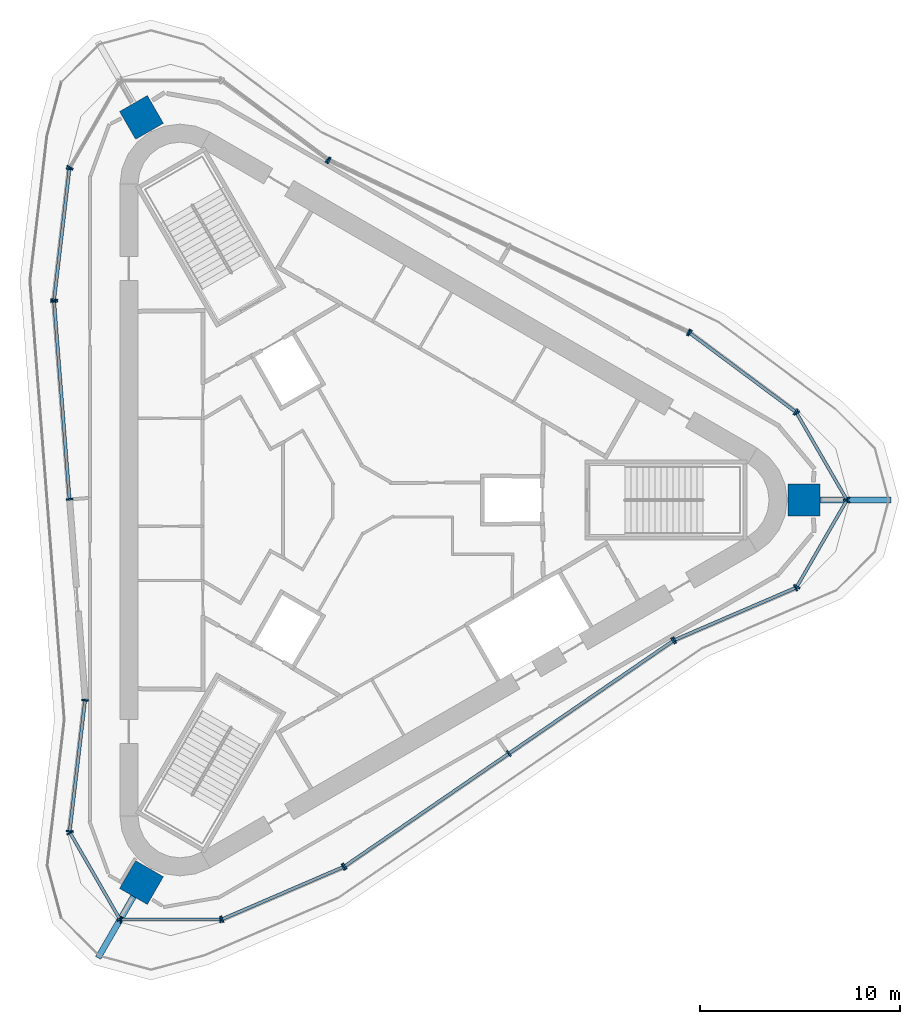
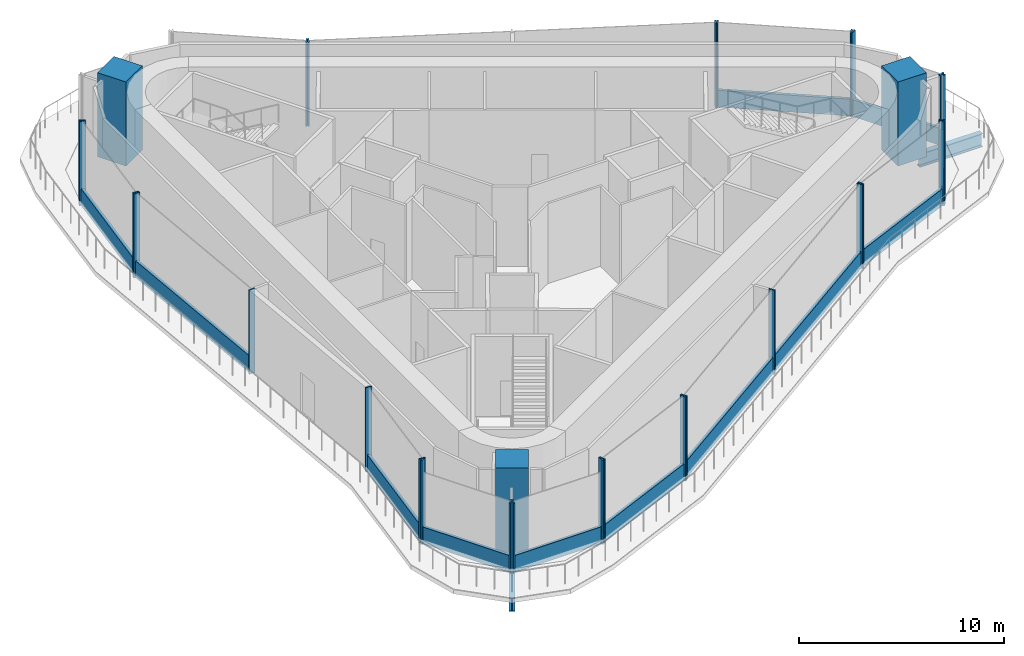
# One storey, part 1 of 8: 39 members, 3 columns, 2 beams, 14 elements without a shape of their own.
"""IFC4 building model written with IfcOpenShell, lengths in metres."""

from ifc_helpers import new_model, si_unit, direction, frame, origin, origin_2d, place, context, subcontext, project, spatial, rectangle, i_section, extrude, material, material_profile, profile_set, type_object, element, aggregate, save


model = new_model("IFC4")

# Units and contexts
model_context = context("Model", 3, precision=1e-05, world=origin(), true_north=direction((0.0, 1.0)))
body_context = subcontext(model_context, "Body", "Model", "MODEL_VIEW")
ifc_project = project(units=[si_unit("LENGTHUNIT", "METRE"), si_unit("AREAUNIT", "SQUARE_METRE"), si_unit("VOLUMEUNIT", "CUBIC_METRE"), si_unit("PLANEANGLEUNIT", "RADIAN"), si_unit("MASSUNIT", "GRAM", prefix="KILO")], contexts=[model_context])

# Site, building, storey
site_placement = place(None, origin())
site = spatial("IfcSite", under=ifc_project, at=site_placement, CompositionType="ELEMENT")
building_placement = place(site_placement, origin())
building = spatial("IfcBuilding", under=site, at=building_placement, Name="Tanit Gate Tower", CompositionType="ELEMENT")
storey_placement = place(building_placement, frame((0.0, 0.0, 435.300048828125)))
storey = spatial("IfcBuildingStorey", under=building, at=storey_placement, Name="L98", CompositionType="ELEMENT", Elevation=435.300048828125)

# Columns
ifc_material_1 = material(Name="Concrete C40/50", Category="concrete")
ifc_material_profile_1 = material_profile(ifc_material_1, rectangle(XDim=1.60009765625, YDim=1.60009765625, at=origin_2d()), Name="RC 1600x1600")
ifc_profile_set_1 = profile_set([ifc_material_profile_1], Name="Concrete C40/50")
column_type = type_object("IfcColumnType", Name="MEGA COLUMN 1600x1600 C40/50", PredefinedType="COLUMN", material=ifc_profile_set_1)
for number, where, z_axis, x_axis, name in (
    (1, (22.051025390625, 0.0, 0.0), (0.0, 0.0, 1.0), (1.0, 0.0, 0.0), "MEGA COLUMN"),
    (2, (-11.025390625, 19.0966796875, 0.0), (0.0, 0.0, 1.0), (-0.5, 0.866025403784, 0.0), "MEGA COLUMN"),
    (3, (-11.025390625, -19.0966796875, 0.0), (0.0, 0.0, 1.0), (-0.5, -0.866025403784, 0.0), "MEGA COLUMN"),
):
    element("IfcColumn", number, at=place(storey_placement, frame(where, z_axis=z_axis, x_axis=x_axis)), inside=storey, type_object=column_type, Name=name, PredefinedType="COLUMN", context=body_context, shape_type="SweptSolid", body=[
        extrude(rectangle(XDim=1.60009765625, YDim=1.60009765625, at=origin_2d()), origin(), (0.0, 0.0, 1.0), 5.0),
    ])

# Beams
ifc_material_2 = material(Name="Steel S355", Category="steel")
ifc_material_profile_2 = material_profile(ifc_material_2, i_section(OverallWidth=0.300048828125, OverallDepth=0.7900390625, WebThickness=0.014892578125, FlangeThickness=0.028076171875, FilletRadius=0.030029296875, at=origin_2d()), Name="HEA 800")
ifc_profile_set_2 = profile_set([ifc_material_profile_2], Name="Steel S355")
beam_type = type_object("IfcBeamType", Name="CROWN TERRACE GIRDER HEA 800 S355", PredefinedType="BEAM", material=ifc_profile_set_2)
beam_1_placement = place(storey_placement, frame((-11.424560546875, -19.787841796875, -0.64501953125), z_axis=(-0.499947514557, -0.866055704149, 0.0), x_axis=(0.866055704149, -0.499947514557, 0.0)))
element("IfcBeam", 4, at=beam_1_placement, inside=storey, type_object=beam_type, Name="CROWN TERRACE GIRDER", PredefinedType="BEAM", context=body_context, shape_type="SweptSolid", body=[
    extrude(i_section(OverallWidth=0.300048828125, OverallDepth=0.7900390625, WebThickness=0.014892578125, FlangeThickness=0.028076171875, FilletRadius=0.030029296875, at=origin_2d()), origin(), (0.0, 0.0, 1.0), 3.537109375),
])
beam_2_placement = place(storey_placement, frame((22.84912109375, 0.0, -0.64501953125), z_axis=(1.0, 0.0, 0.0), x_axis=(0.0, 1.0, 0.0)))
element("IfcBeam", 5, at=beam_2_placement, inside=storey, type_object=beam_type, Name="CROWN TERRACE GIRDER", PredefinedType="BEAM", context=body_context, shape_type="SweptSolid", body=[
    extrude(i_section(OverallWidth=0.300048828125, OverallDepth=0.7900390625, WebThickness=0.014892578125, FlangeThickness=0.028076171875, FilletRadius=0.030029296875, at=origin_2d()), origin(), (0.0, 0.0, 1.0), 3.536865234375),
])

# Curtain wall, members
ifc_material_3 = material(Name="Aluminium bronze anodised and glass", Category="aluminium")
curtain_wall_type = type_object("IfcCurtainWallType", Name="Curtain wall plant screen", PredefinedType="NOTDEFINED", material=ifc_material_3)
curtain_wall_1_placement = place(storey_placement, origin())
curtain_wall_1 = element("IfcCurtainWall", 6, at=curtain_wall_1_placement, inside=storey, type_object=curtain_wall_type, Name="Curtain wall L98 NE1", PredefinedType="NOTDEFINED")
ifc_material_4 = material(Name="Aluminium bronze anodised", Category="aluminium")
ifc_material_profile_3 = material_profile(ifc_material_4, rectangle(XDim=0.340087890625, YDim=0.080078125, at=origin_2d()), Name="80x340 bronze mullion")
ifc_profile_set_3 = profile_set([ifc_material_profile_3], Name="Aluminium bronze anodised")
member_type_1 = type_object("IfcMemberType", Name="Mullion 80x340 plant screen", PredefinedType="MULLION", material=ifc_profile_set_3)
member_1_placement = place(storey_placement, frame((21.621826171875, 4.39892578125, -0.25), z_axis=(0.0, 0.0, 1.0), x_axis=(-0.59734052401, -0.801987717098, 0.0)))
member_1 = element("IfcMember", 7, at=member_1_placement, type_object=member_type_1, Name="Mullion L98 NE1.1", PredefinedType="MULLION", context=body_context, shape_type="SweptSolid", body=[
    extrude(rectangle(XDim=0.340087890625, YDim=0.080078125, at=origin_2d()), origin(), (0.0, 0.0, 1.0), 5.0),
])
member_2_placement = place(storey_placement, frame((16.3447265625, 8.329345703125, -0.25), z_axis=(0.0, 0.0, 1.0), x_axis=(-0.59734052401, -0.801987717098, 0.0)))
member_2 = element("IfcMember", 8, at=member_2_placement, type_object=member_type_1, Name="Mullion L98 NE1.2", PredefinedType="MULLION", context=body_context, shape_type="SweptSolid", body=[
    extrude(rectangle(XDim=0.340087890625, YDim=0.080078125, at=origin_2d()), origin(), (0.0, 0.0, 1.0), 5.0),
])

curtain_wall_2_placement = place(storey_placement, origin())
curtain_wall_2 = element("IfcCurtainWall", 9, at=curtain_wall_2_placement, inside=storey, type_object=curtain_wall_type, Name="Curtain wall L98 NE2", PredefinedType="NOTDEFINED")
member_3_placement = place(storey_placement, frame((16.276611328125, 8.37060546875, -0.25), z_axis=(0.0, 0.0, 1.0), x_axis=(-0.431072811819, -0.902317145415, 0.0)))
member_3 = element("IfcMember", 10, at=member_3_placement, type_object=member_type_1, Name="Mullion L98 NE2.1", PredefinedType="MULLION", context=body_context, shape_type="SweptSolid", body=[
    extrude(rectangle(XDim=0.340087890625, YDim=0.080078125, at=origin_2d()), origin(), (0.0, 0.0, 1.0), 5.0),
])
member_4_placement = place(storey_placement, frame((-1.667236328125, 16.94287109375, -0.25), z_axis=(0.0, 0.0, 1.0), x_axis=(-0.431072811819, -0.902317145415, 0.0)))
member_4 = element("IfcMember", 11, at=member_4_placement, type_object=member_type_1, Name="Mullion L98 NE2.3", PredefinedType="MULLION", context=body_context, shape_type="SweptSolid", body=[
    extrude(rectangle(XDim=0.340087890625, YDim=0.080078125, at=origin_2d()), origin(), (0.0, 0.0, 1.0), 5.0),
])
aggregate(curtain_wall_2, [member_3, member_4])

# Curtain wall, member
curtain_wall_3_placement = place(storey_placement, origin())
curtain_wall_3 = element("IfcCurtainWall", 12, at=curtain_wall_3_placement, inside=storey, type_object=curtain_wall_type, Name="Curtain wall L98 NE3", PredefinedType="NOTDEFINED")
member_5_placement = place(storey_placement, frame((-1.7353515625, 16.984130859375, -0.25), z_axis=(0.0, 0.0, 1.0), x_axis=(-0.59734052401, -0.801987717098, 0.0)))
member_5 = element("IfcMember", 13, at=member_5_placement, type_object=member_type_1, Name="Mullion L98 NE3.1", PredefinedType="MULLION", context=body_context, shape_type="SweptSolid", body=[
    extrude(rectangle(XDim=0.340087890625, YDim=0.080078125, at=origin_2d()), origin(), (0.0, 0.0, 1.0), 5.0),
])
aggregate(curtain_wall_3, [member_5])

curtain_wall_4_placement = place(storey_placement, origin())
curtain_wall_4 = element("IfcCurtainWall", 14, at=curtain_wall_4_placement, inside=storey, type_object=curtain_wall_type, Name="Curtain wall L98 NW.arc2", PredefinedType="NOTDEFINED")
member_6_placement = place(storey_placement, frame((-14.595947265625, 16.60009765625, -0.25), z_axis=(0.0, 0.0, 1.0), x_axis=(0.866624446929, -0.498960988441, 0.0)))
member_6 = element("IfcMember", 15, at=member_6_placement, type_object=member_type_1, Name="Mullion L98 NW.arc2.2", PredefinedType="MULLION", context=body_context, shape_type="SweptSolid", body=[
    extrude(rectangle(XDim=0.340087890625, YDim=0.080078125, at=origin_2d()), origin(), (0.0, 0.0, 1.0), 5.0),
])
aggregate(curtain_wall_4, [member_6])

# Curtain wall, members
curtain_wall_5_placement = place(storey_placement, origin())
curtain_wall_5 = element("IfcCurtainWall", 16, at=curtain_wall_5_placement, inside=storey, type_object=curtain_wall_type, Name="Curtain wall L98 W1", PredefinedType="NOTDEFINED")
member_7_placement = place(storey_placement, frame((-14.620361328125, 16.525634765625, -0.25), z_axis=(0.0, 0.0, 1.0), x_axis=(0.993211998535, -0.116318209953, 0.0)))
member_7 = element("IfcMember", 17, at=member_7_placement, type_object=member_type_1, Name="Mullion L98 W1.1", PredefinedType="MULLION", context=body_context, shape_type="SweptSolid", body=[
    extrude(rectangle(XDim=0.340087890625, YDim=0.080078125, at=origin_2d()), origin(), (0.0, 0.0, 1.0), 5.0),
])
member_8_placement = place(storey_placement, frame((-15.3857421875, 9.990234375, -0.25), z_axis=(0.0, 0.0, 1.0), x_axis=(0.993211998535, -0.116318209953, 0.0)))
member_8 = element("IfcMember", 18, at=member_8_placement, type_object=member_type_1, Name="Mullion L98 W1.2", PredefinedType="MULLION", context=body_context, shape_type="SweptSolid", body=[
    extrude(rectangle(XDim=0.340087890625, YDim=0.080078125, at=origin_2d()), origin(), (0.0, 0.0, 1.0), 5.0),
])

curtain_wall_6_placement = place(storey_placement, origin())
curtain_wall_6 = element("IfcCurtainWall", 19, at=curtain_wall_6_placement, inside=storey, type_object=curtain_wall_type, Name="Curtain wall L98 W2a", PredefinedType="NOTDEFINED")
member_9_placement = place(storey_placement, frame((-15.387451171875, 9.91064453125, -0.25), z_axis=(0.0, 0.0, 1.0), x_axis=(0.996965976109, 0.077838566791, 0.0)))
member_9 = element("IfcMember", 20, at=member_9_placement, type_object=member_type_1, Name="Mullion L98 W2a.1", PredefinedType="MULLION", context=body_context, shape_type="SweptSolid", body=[
    extrude(rectangle(XDim=0.340087890625, YDim=0.080078125, at=origin_2d()), origin(), (0.0, 0.0, 1.0), 5.0),
])
member_10_placement = place(storey_placement, frame((-14.616455078125, 0.03759765625, -0.25), z_axis=(0.0, 0.0, 1.0), x_axis=(0.996965976109, 0.077838566791, 0.0)))
member_10 = element("IfcMember", 21, at=member_10_placement, type_object=member_type_1, Name="Mullion L98 W2a.2", PredefinedType="MULLION", context=body_context, shape_type="SweptSolid", body=[
    extrude(rectangle(XDim=0.340087890625, YDim=0.080078125, at=origin_2d()), origin(), (0.0, 0.0, 1.0), 5.0),
])

curtain_wall_7_placement = place(storey_placement, origin())
curtain_wall_7 = element("IfcCurtainWall", 22, at=curtain_wall_7_placement, inside=storey, type_object=curtain_wall_type, Name="Curtain wall L98 W3", PredefinedType="NOTDEFINED")
member_11_placement = place(storey_placement, frame((-13.841064453125, -9.994873046875, -0.25), z_axis=(0.0, 0.0, 1.0), x_axis=(0.993211998535, -0.116318209953, 0.0)))
member_11 = element("IfcMember", 23, at=member_11_placement, type_object=member_type_1, Name="Mullion L98 W3.1", PredefinedType="MULLION", context=body_context, shape_type="SweptSolid", body=[
    extrude(rectangle(XDim=0.340087890625, YDim=0.080078125, at=origin_2d()), origin(), (0.0, 0.0, 1.0), 5.0),
])
member_12_placement = place(storey_placement, frame((-14.607421875, -16.539306640625, -0.25), z_axis=(0.0, 0.0, 1.0), x_axis=(0.993211998535, -0.116318209953, 0.0)))
member_12 = element("IfcMember", 24, at=member_12_placement, type_object=member_type_1, Name="Mullion L98 W3.2", PredefinedType="MULLION", context=body_context, shape_type="SweptSolid", body=[
    extrude(rectangle(XDim=0.340087890625, YDim=0.080078125, at=origin_2d()), origin(), (0.0, 0.0, 1.0), 5.0),
])

curtain_wall_8_placement = place(storey_placement, origin())
curtain_wall_8 = element("IfcCurtainWall", 25, at=curtain_wall_8_placement, inside=storey, type_object=curtain_wall_type, Name="Curtain wall L98 SW.arc1", PredefinedType="NOTDEFINED")
member_13_placement = place(storey_placement, frame((-14.592041015625, -16.61376953125, -0.25), z_axis=(0.0, 0.0, 1.0), x_axis=(0.866260849341, 0.499591974413, 0.0)))
member_13 = element("IfcMember", 26, at=member_13_placement, type_object=member_type_1, Name="Mullion L98 SW.arc1.1", PredefinedType="MULLION", context=body_context, shape_type="SweptSolid", body=[
    extrude(rectangle(XDim=0.340087890625, YDim=0.080078125, at=origin_2d()), origin(), (0.0, 0.0, 1.0), 5.0),
])
member_14_placement = place(storey_placement, frame((-12.11328125, -20.911865234375, -0.25), z_axis=(0.0, 0.0, 1.0), x_axis=(0.866260849341, 0.499591974413, 0.0)))
member_14 = element("IfcMember", 27, at=member_14_placement, type_object=member_type_1, Name="Mullion L98 SW.arc1.2", PredefinedType="MULLION", context=body_context, shape_type="SweptSolid", body=[
    extrude(rectangle(XDim=0.340087890625, YDim=0.080078125, at=origin_2d()), origin(), (0.0, 0.0, 1.0), 4.2099609375),
])

curtain_wall_9_placement = place(storey_placement, origin())
curtain_wall_9 = element("IfcCurtainWall", 28, at=curtain_wall_9_placement, inside=storey, type_object=curtain_wall_type, Name="Curtain wall L98 SW.arc2", PredefinedType="NOTDEFINED")
member_15_placement = place(storey_placement, frame((-12.053466796875, -20.9462890625, -0.25), z_axis=(0.0, 0.0, 1.0), x_axis=(-0.001199331977, 0.999999280801, 0.0)))
member_15 = element("IfcMember", 29, at=member_15_placement, type_object=member_type_1, Name="Mullion L98 SW.arc2.1", PredefinedType="MULLION", context=body_context, shape_type="SweptSolid", body=[
    extrude(rectangle(XDim=0.340087890625, YDim=0.080078125, at=origin_2d()), origin(), (0.0, 0.0, 1.0), 4.2099609375),
])
member_16_placement = place(storey_placement, frame((-7.078125, -20.9404296875, -0.25), z_axis=(0.0, 0.0, 1.0), x_axis=(-0.001199331977, 0.999999280801, 0.0)))
member_16 = element("IfcMember", 30, at=member_16_placement, type_object=member_type_1, Name="Mullion L98 SW.arc2.2", PredefinedType="MULLION", context=body_context, shape_type="SweptSolid", body=[
    extrude(rectangle(XDim=0.340087890625, YDim=0.080078125, at=origin_2d()), origin(), (0.0, 0.0, 1.0), 5.0),
])

curtain_wall_10_placement = place(storey_placement, origin())
curtain_wall_10 = element("IfcCurtainWall", 31, at=curtain_wall_10_placement, inside=storey, type_object=curtain_wall_type, Name="Curtain wall L98 SE1", PredefinedType="NOTDEFINED")
member_17_placement = place(storey_placement, frame((-7.00146484375, -20.924560546875, -0.25), z_axis=(0.0, 0.0, 1.0), x_axis=(-0.395871474525, 0.918305927051, 0.0)))
member_17 = element("IfcMember", 32, at=member_17_placement, type_object=member_type_1, Name="Mullion L98 SE1.1", PredefinedType="MULLION", context=body_context, shape_type="SweptSolid", body=[
    extrude(rectangle(XDim=0.340087890625, YDim=0.080078125, at=origin_2d()), origin(), (0.0, 0.0, 1.0), 5.0),
])
member_18_placement = place(storey_placement, frame((-0.958740234375, -18.319580078125, -0.25), z_axis=(0.0, 0.0, 1.0), x_axis=(-0.395871474525, 0.918305927051, 0.0)))
member_18 = element("IfcMember", 33, at=member_18_placement, type_object=member_type_1, Name="Mullion L98 SE1.2", PredefinedType="MULLION", context=body_context, shape_type="SweptSolid", body=[
    extrude(rectangle(XDim=0.340087890625, YDim=0.080078125, at=origin_2d()), origin(), (0.0, 0.0, 1.0), 5.0),
])

curtain_wall_11_placement = place(storey_placement, origin())
curtain_wall_11 = element("IfcCurtainWall", 34, at=curtain_wall_11_placement, inside=storey, type_object=curtain_wall_type, Name="Curtain wall L98 SE2", PredefinedType="NOTDEFINED")
member_19_placement = place(storey_placement, frame((-0.88916015625, -18.28125, -0.25), z_axis=(0.0, 0.0, 1.0), x_axis=(-0.56589316429, 0.824478578624, 0.0)))
member_19 = element("IfcMember", 35, at=member_19_placement, type_object=member_type_1, Name="Mullion L98 SE2.1", PredefinedType="MULLION", context=body_context, shape_type="SweptSolid", body=[
    extrude(rectangle(XDim=0.340087890625, YDim=0.080078125, at=origin_2d()), origin(), (0.0, 0.0, 1.0), 5.0),
])
member_20_placement = place(storey_placement, frame((7.308837890625, -12.654541015625, -0.25), z_axis=(0.0, 0.0, 1.0), x_axis=(-0.56589316429, 0.824478578624, 0.0)))
member_20 = element("IfcMember", 36, at=member_20_placement, type_object=member_type_1, Name="Mullion L98 SE2.2", PredefinedType="MULLION", context=body_context, shape_type="SweptSolid", body=[
    extrude(rectangle(XDim=0.340087890625, YDim=0.080078125, at=origin_2d()), origin(), (0.0, 0.0, 1.0), 5.0),
])
member_21_placement = place(storey_placement, frame((15.506591796875, -7.02783203125, -0.25), z_axis=(0.0, 0.0, 1.0), x_axis=(-0.56589316429, 0.824478578624, 0.0)))
member_21 = element("IfcMember", 37, at=member_21_placement, type_object=member_type_1, Name="Mullion L98 SE2.3", PredefinedType="MULLION", context=body_context, shape_type="SweptSolid", body=[
    extrude(rectangle(XDim=0.340087890625, YDim=0.080078125, at=origin_2d()), origin(), (0.0, 0.0, 1.0), 5.0),
])

curtain_wall_12_placement = place(storey_placement, origin())
curtain_wall_12 = element("IfcCurtainWall", 38, at=curtain_wall_12_placement, inside=storey, type_object=curtain_wall_type, Name="Curtain wall L98 SE3", PredefinedType="NOTDEFINED")
member_22_placement = place(storey_placement, frame((15.576416015625, -6.9892578125, -0.25), z_axis=(0.0, 0.0, 1.0), x_axis=(-0.395871474525, 0.918305927051, 0.0)))
member_22 = element("IfcMember", 39, at=member_22_placement, type_object=member_type_1, Name="Mullion L98 SE3.1", PredefinedType="MULLION", context=body_context, shape_type="SweptSolid", body=[
    extrude(rectangle(XDim=0.340087890625, YDim=0.080078125, at=origin_2d()), origin(), (0.0, 0.0, 1.0), 5.0),
])
member_23_placement = place(storey_placement, frame((21.627197265625, -4.380615234375, -0.25), z_axis=(0.0, 0.0, 1.0), x_axis=(-0.395871474525, 0.918305927051, 0.0)))
member_23 = element("IfcMember", 40, at=member_23_placement, type_object=member_type_1, Name="Mullion L98 SE3.2", PredefinedType="MULLION", context=body_context, shape_type="SweptSolid", body=[
    extrude(rectangle(XDim=0.340087890625, YDim=0.080078125, at=origin_2d()), origin(), (0.0, 0.0, 1.0), 5.0),
])

curtain_wall_13_placement = place(storey_placement, origin())
curtain_wall_13 = element("IfcCurtainWall", 41, at=curtain_wall_13_placement, inside=storey, type_object=curtain_wall_type, Name="Curtain wall L98 E.arc1", PredefinedType="NOTDEFINED")
member_24_placement = place(storey_placement, frame((21.68408203125, -4.330322265625, -0.25), z_axis=(0.0, 0.0, 1.0), x_axis=(-0.865789766039, 0.500407914627, 0.0)))
member_24 = element("IfcMember", 42, at=member_24_placement, type_object=member_type_1, Name="Mullion L98 E.arc1.1", PredefinedType="MULLION", context=body_context, shape_type="SweptSolid", body=[
    extrude(rectangle(XDim=0.340087890625, YDim=0.080078125, at=origin_2d()), origin(), (0.0, 0.0, 1.0), 5.0),
])
member_25_placement = place(storey_placement, frame((24.166748046875, -0.03466796875, -0.25), z_axis=(0.0, 0.0, 1.0), x_axis=(-0.865789766039, 0.500407914627, 0.0)))
member_25 = element("IfcMember", 43, at=member_25_placement, type_object=member_type_1, Name="Mullion L98 E.arc1.2", PredefinedType="MULLION", context=body_context, shape_type="SweptSolid", body=[
    extrude(rectangle(XDim=0.340087890625, YDim=0.080078125, at=origin_2d()), origin(), (0.0, 0.0, 1.0), 4.2099609375),
])

curtain_wall_14_placement = place(storey_placement, origin())
curtain_wall_14 = element("IfcCurtainWall", 44, at=curtain_wall_14_placement, inside=storey, type_object=curtain_wall_type, Name="Curtain wall L98 E.arc2", PredefinedType="NOTDEFINED")
member_26_placement = place(storey_placement, frame((24.166748046875, 0.03466796875, -0.25), z_axis=(0.0, 0.0, 1.0), x_axis=(-0.865425114951, -0.50103829236, 0.0)))
member_26 = element("IfcMember", 45, at=member_26_placement, type_object=member_type_1, Name="Mullion L98 E.arc2.1", PredefinedType="MULLION", context=body_context, shape_type="SweptSolid", body=[
    extrude(rectangle(XDim=0.340087890625, YDim=0.080078125, at=origin_2d()), origin(), (0.0, 0.0, 1.0), 4.2099609375),
])
member_27_placement = place(storey_placement, frame((21.674072265625, 4.34033203125, -0.25), z_axis=(0.0, 0.0, 1.0), x_axis=(-0.865425114951, -0.50103829236, 0.0)))
member_27 = element("IfcMember", 46, at=member_27_placement, type_object=member_type_1, Name="Mullion L98 E.arc2.2", PredefinedType="MULLION", context=body_context, shape_type="SweptSolid", body=[
    extrude(rectangle(XDim=0.340087890625, YDim=0.080078125, at=origin_2d()), origin(), (0.0, 0.0, 1.0), 5.0),
])

# Member
ifc_material_5 = material(Name="Aluminium bronze anodised", Category="aluminium")
ifc_material_profile_4 = material_profile(ifc_material_5, rectangle(XDim=0.159912109375, YDim=1.0, at=origin_2d()), Name="160x1000 bronze transom")
ifc_profile_set_4 = profile_set([ifc_material_profile_4], Name="Aluminium bronze anodised")
member_type_2 = type_object("IfcMemberType", Name="Transom 160x1000 plant screen", PredefinedType="USERDEFINED", material=ifc_profile_set_4)
member_28_placement = place(storey_placement, frame((21.58984375, 4.4228515625, 0.25), z_axis=(-0.802010187048, 0.597310354733, 0.0), x_axis=(-0.597310354733, -0.802010187048, 0.0)))
member_28 = element("IfcMember", 47, at=member_28_placement, type_object=member_type_2, Name="Transom L98 NE1.1", ObjectType="TRANSOM", PredefinedType="USERDEFINED", context=body_context, shape_type="SweptSolid", body=[
    extrude(rectangle(XDim=0.159912109375, YDim=1.0, at=origin_2d()), origin(), (0.0, 0.0, 1.0), 6.5),
])

aggregate(curtain_wall_1, [member_1, member_2, member_28])

member_29_placement = place(storey_placement, frame((-14.625, 16.48583984375, 0.25), z_axis=(-0.1163247434, -0.99321123336, 0.0), x_axis=(0.99321123336, -0.1163247434, 0.0)))
member_29 = element("IfcMember", 48, at=member_29_placement, type_object=member_type_2, Name="Transom L98 W1.1", ObjectType="TRANSOM", PredefinedType="USERDEFINED", context=body_context, shape_type="SweptSolid", body=[
    extrude(rectangle(XDim=0.159912109375, YDim=1.0, at=origin_2d()), origin(), (0.0, 0.0, 1.0), 6.5),
])

aggregate(curtain_wall_5, [member_7, member_8, member_29])

member_30_placement = place(storey_placement, frame((-15.38427734375, 9.87060546875, 0.25), z_axis=(0.077842506761, -0.996965668487, 0.0), x_axis=(0.996965668487, 0.077842506761, 0.0)))
member_30 = element("IfcMember", 49, at=member_30_placement, type_object=member_type_2, Name="Transom L98 W2a.1", ObjectType="TRANSOM", PredefinedType="USERDEFINED", context=body_context, shape_type="SweptSolid", body=[
    extrude(rectangle(XDim=0.159912109375, YDim=1.0, at=origin_2d()), origin(), (0.0, 0.0, 1.0), 9.822998046875),
])

aggregate(curtain_wall_6, [member_9, member_10, member_30])

member_31_placement = place(storey_placement, frame((-13.845703125, -10.03466796875, 0.25), z_axis=(-0.116308073283, -0.99321318562, 0.0), x_axis=(0.99321318562, -0.116308073283, 0.0)))
member_31 = element("IfcMember", 50, at=member_31_placement, type_object=member_type_2, Name="Transom L98 W3.1", ObjectType="TRANSOM", PredefinedType="USERDEFINED", context=body_context, shape_type="SweptSolid", body=[
    extrude(rectangle(XDim=0.159912109375, YDim=1.0, at=origin_2d()), origin(), (0.0, 0.0, 1.0), 6.50927734375),
])

aggregate(curtain_wall_7, [member_11, member_12, member_31])

member_32_placement = place(storey_placement, frame((-14.572265625, -16.6484375, 0.25), z_axis=(0.499614211748, -0.866248024193, 0.0), x_axis=(0.866248024193, 0.499614211748, 0.0)))
member_32 = element("IfcMember", 51, at=member_32_placement, type_object=member_type_2, Name="Transom L98 SW.arc1.1", ObjectType="TRANSOM", PredefinedType="USERDEFINED", context=body_context, shape_type="SweptSolid", body=[
    extrude(rectangle(XDim=0.159912109375, YDim=1.0, at=origin_2d()), origin(), (0.0, 0.0, 1.0), 4.881591796875),
])

aggregate(curtain_wall_8, [member_13, member_14, member_32])

member_33_placement = place(storey_placement, frame((-12.013427734375, -20.9462890625, 0.25), z_axis=(0.999999283659, 0.001196946926, 0.0), x_axis=(-0.001196946926, 0.999999283659, 0.0)))
member_33 = element("IfcMember", 52, at=member_33_placement, type_object=member_type_2, Name="Transom L98 SW.arc2.1", ObjectType="TRANSOM", PredefinedType="USERDEFINED", context=body_context, shape_type="SweptSolid", body=[
    extrude(rectangle(XDim=0.159912109375, YDim=1.0, at=origin_2d()), origin(), (0.0, 0.0, 1.0), 4.895263671875),
])

aggregate(curtain_wall_9, [member_15, member_16, member_33])

member_34_placement = place(storey_placement, frame((-6.964599609375, -20.90869140625, 0.25), z_axis=(0.91830172222, 0.395881228361, 0.0), x_axis=(-0.395881228361, 0.91830172222, 0.0)))
member_34 = element("IfcMember", 53, at=member_34_placement, type_object=member_type_2, Name="Transom L98 SE1.1", ObjectType="TRANSOM", PredefinedType="USERDEFINED", context=body_context, shape_type="SweptSolid", body=[
    extrude(rectangle(XDim=0.159912109375, YDim=1.0, at=origin_2d()), origin(), (0.0, 0.0, 1.0), 6.5),
])

aggregate(curtain_wall_10, [member_17, member_18, member_34])

member_35_placement = place(storey_placement, frame((-0.856201171875, -18.258544921875, 0.25), z_axis=(0.824480065419, 0.565890998097, 0.0), x_axis=(-0.565890998097, 0.824480065419, 0.0)))
member_35 = element("IfcMember", 54, at=member_35_placement, type_object=member_type_2, Name="Transom L98 SE2.1", ObjectType="TRANSOM", PredefinedType="USERDEFINED", context=body_context, shape_type="SweptSolid", body=[
    extrude(rectangle(XDim=0.159912109375, YDim=1.0, at=origin_2d()), origin(), (0.0, 0.0, 1.0), 9.86328125),
])

member_36_placement = place(storey_placement, frame((7.341796875, -12.6318359375, 0.25), z_axis=(0.824472138627, 0.565902546935, 0.0), x_axis=(-0.565902546935, 0.824472138627, 0.0)))
member_36 = element("IfcMember", 55, at=member_36_placement, type_object=member_type_2, Name="Transom L98 SE2.2", ObjectType="TRANSOM", PredefinedType="USERDEFINED", context=body_context, shape_type="SweptSolid", body=[
    extrude(rectangle(XDim=0.159912109375, YDim=1.0, at=origin_2d()), origin(), (0.0, 0.0, 1.0), 9.863037109375),
])

aggregate(curtain_wall_11, [member_19, member_20, member_21, member_35, member_36])

member_37_placement = place(storey_placement, frame((15.613037109375, -6.973388671875, 0.25), z_axis=(0.918302929614, 0.395878427629, 0.0), x_axis=(-0.395878427629, 0.918302929614, 0.0)))
member_37 = element("IfcMember", 56, at=member_37_placement, type_object=member_type_2, Name="Transom L98 SE3.1", ObjectType="TRANSOM", PredefinedType="USERDEFINED", context=body_context, shape_type="SweptSolid", body=[
    extrude(rectangle(XDim=0.159912109375, YDim=1.0, at=origin_2d()), origin(), (0.0, 0.0, 1.0), 6.50927734375),
])

aggregate(curtain_wall_12, [member_22, member_23, member_37])

member_38_placement = place(storey_placement, frame((21.7041015625, -4.295654296875, 0.25), z_axis=(0.500393417043, 0.86579814517, 0.0), x_axis=(-0.86579814517, 0.500393417043, 0.0)))
member_38 = element("IfcMember", 57, at=member_38_placement, type_object=member_type_2, Name="Transom L98 E.arc1.1", ObjectType="TRANSOM", PredefinedType="USERDEFINED", context=body_context, shape_type="SweptSolid", body=[
    extrude(rectangle(XDim=0.159912109375, YDim=1.0, at=origin_2d()), origin(), (0.0, 0.0, 1.0), 4.88134765625),
])

aggregate(curtain_wall_13, [member_24, member_25, member_38])

member_39_placement = place(storey_placement, frame((24.146728515625, 0.0693359375, 0.25), z_axis=(-0.501040202559, 0.865424009038, 0.0), x_axis=(-0.865424009038, -0.501040202559, 0.0)))
member_39 = element("IfcMember", 58, at=member_39_placement, type_object=member_type_2, Name="Transom L98 E.arc2.1", ObjectType="TRANSOM", PredefinedType="USERDEFINED", context=body_context, shape_type="SweptSolid", body=[
    extrude(rectangle(XDim=0.159912109375, YDim=1.0, at=origin_2d()), origin(), (0.0, 0.0, 1.0), 4.89501953125),
])

aggregate(curtain_wall_14, [member_26, member_27, member_39])

save(model, "model.ifc")
